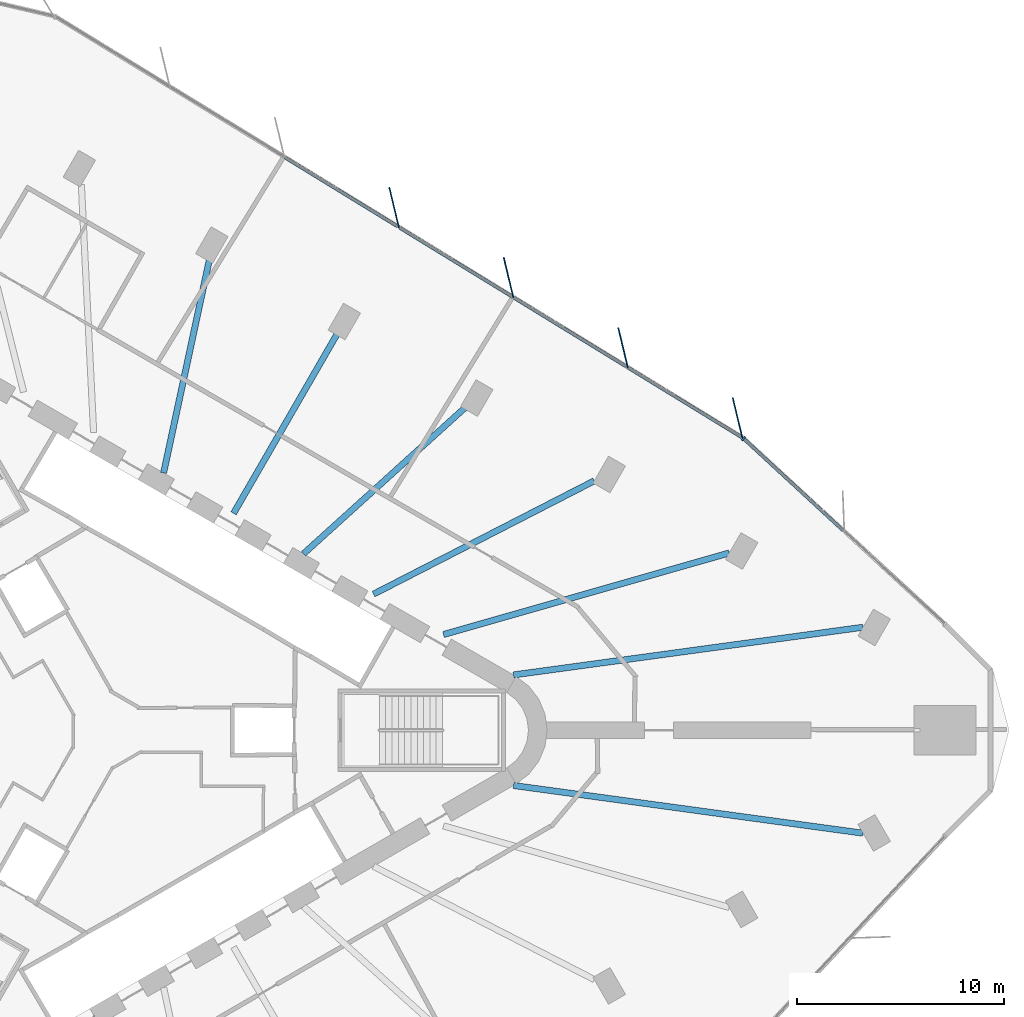
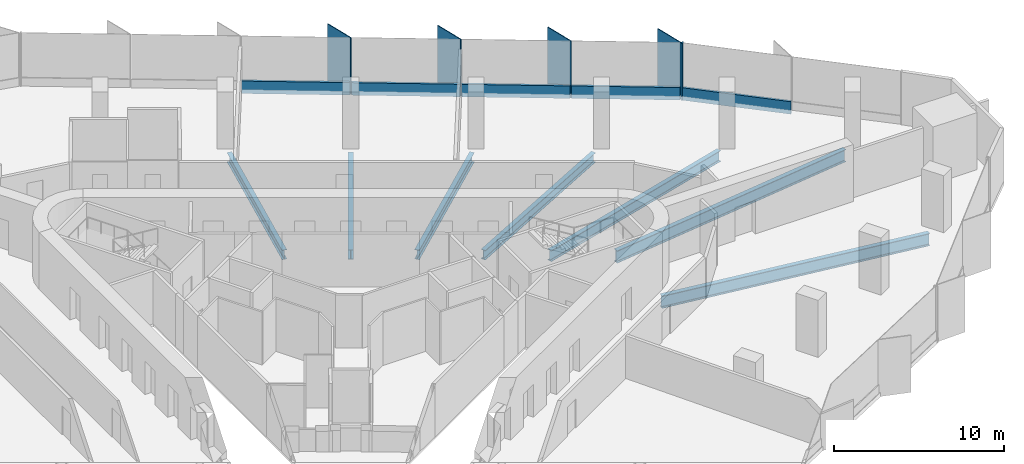
# One storey, part 5 of 14: 10 members, 7 beams, 2 elements without a shape of their own.
"""IFC4 building model written with IfcOpenShell, lengths in metres."""

from ifc_helpers import new_model, si_unit, direction, frame, origin, origin_2d, place, context, subcontext, project, spatial, rectangle, i_section, extrude, material, material_profile, profile_set, type_object, element, aggregate, save


model = new_model("IFC4")

# Units and contexts
model_context = context("Model", 3, precision=1e-05, world=origin(), true_north=direction((0.0, 1.0)))
body_context = subcontext(model_context, "Body", "Model", "MODEL_VIEW")
ifc_project = project(units=[si_unit("LENGTHUNIT", "METRE"), si_unit("AREAUNIT", "SQUARE_METRE"), si_unit("VOLUMEUNIT", "CUBIC_METRE"), si_unit("PLANEANGLEUNIT", "RADIAN"), si_unit("MASSUNIT", "GRAM", prefix="KILO")], contexts=[model_context])

# Site, building, storey
site_placement = place(None, origin())
site = spatial("IfcSite", under=ifc_project, at=site_placement, CompositionType="ELEMENT")
building_placement = place(site_placement, origin())
building = spatial("IfcBuilding", under=site, at=building_placement, Name="Tanit Gate Tower", CompositionType="ELEMENT")
storey_placement = place(building_placement, frame((0.0, 0.0, 119.300048828125)))
storey = spatial("IfcBuildingStorey", under=building, at=storey_placement, Name="L25", CompositionType="ELEMENT", Elevation=119.300048828125)

# Curtain wall, members
ifc_material_1 = material(Name="Aluminium bronze anodised and glass", Category="aluminium")
curtain_wall_type = type_object("IfcCurtainWallType", Name="Curtain wall typical low", PredefinedType="NOTDEFINED", material=ifc_material_1)
curtain_wall_1_placement = place(storey_placement, origin())
curtain_wall_1 = element("IfcCurtainWall", 1, at=curtain_wall_1_placement, inside=storey, type_object=curtain_wall_type, Name="Curtain wall L25 NE2", PredefinedType="NOTDEFINED")
ifc_material_2 = material(Name="Aluminium bronze anodised", Category="aluminium")
ifc_material_profile_1 = material_profile(ifc_material_2, rectangle(XDim=2.0, YDim=0.055908203125, at=origin_2d()), Name="56x2000 bronze fin mullion")
ifc_profile_set_1 = profile_set([ifc_material_profile_1], Name="Aluminium bronze anodised")
member_type_1 = type_object("IfcMemberType", Name="FIN MULLION 56x2000 bronze", PredefinedType="MULLION", material=ifc_profile_set_1)
member_1_placement = place(storey_placement, frame((30.402099609375, 15.08984375, -0.300048828125), z_axis=(0.0, 0.0, 1.0), x_axis=(0.23355666729, -0.97234319207, 0.0)))
member_1 = element("IfcMember", 2, at=member_1_placement, type_object=member_type_1, Name="Fin mullion L25 NE2.1", PredefinedType="MULLION", context=body_context, shape_type="SweptSolid", body=[
    extrude(rectangle(XDim=2.0, YDim=0.055908203125, at=origin_2d()), origin(), (0.0, 0.0, 1.0), 4.10009765625),
])
member_2_placement = place(storey_placement, frame((24.8701171875, 18.47900390625, -0.300048828125), z_axis=(0.0, 0.0, 1.0), x_axis=(0.23355666729, -0.97234319207, 0.0)))
member_2 = element("IfcMember", 3, at=member_2_placement, type_object=member_type_1, Name="Fin mullion L25 NE2.2", PredefinedType="MULLION", context=body_context, shape_type="SweptSolid", body=[
    extrude(rectangle(XDim=2.0, YDim=0.055908203125, at=origin_2d()), origin(), (0.0, 0.0, 1.0), 4.10009765625),
])
member_3_placement = place(storey_placement, frame((19.338134765625, 21.8681640625, -0.300048828125), z_axis=(0.0, 0.0, 1.0), x_axis=(0.23355666729, -0.97234319207, 0.0)))
member_3 = element("IfcMember", 4, at=member_3_placement, type_object=member_type_1, Name="Fin mullion L25 NE2.3", PredefinedType="MULLION", context=body_context, shape_type="SweptSolid", body=[
    extrude(rectangle(XDim=2.0, YDim=0.055908203125, at=origin_2d()), origin(), (0.0, 0.0, 1.0), 4.10009765625),
])
member_4_placement = place(storey_placement, frame((13.80615234375, 25.25732421875, -0.300048828125), z_axis=(0.0, 0.0, 1.0), x_axis=(0.23355666729, -0.97234319207, 0.0)))
member_4 = element("IfcMember", 5, at=member_4_placement, type_object=member_type_1, Name="Fin mullion L25 NE2.4", PredefinedType="MULLION", context=body_context, shape_type="SweptSolid", body=[
    extrude(rectangle(XDim=2.0, YDim=0.055908203125, at=origin_2d()), origin(), (0.0, 0.0, 1.0), 4.10009765625),
])

# Curtain wall, member
curtain_wall_2_placement = place(storey_placement, origin())
curtain_wall_2 = element("IfcCurtainWall", 6, at=curtain_wall_2_placement, inside=storey, type_object=curtain_wall_type, Name="Curtain wall L25 NE1", PredefinedType="NOTDEFINED")
ifc_material_3 = material(Name="Aluminium bronze anodised", Category="aluminium")
ifc_material_profile_2 = material_profile(ifc_material_3, rectangle(XDim=0.239990234375, YDim=0.080078125, at=origin_2d()), Name="80x240 bronze mullion")
ifc_profile_set_2 = profile_set([ifc_material_profile_2], Name="Aluminium bronze anodised")
member_type_2 = type_object("IfcMemberType", Name="Mullion 80x240 typical low", PredefinedType="MULLION", material=ifc_profile_set_2)
member_5_placement = place(storey_placement, frame((30.69384765625, 14.091552734375, -0.300048828125), z_axis=(0.0, 0.0, 1.0), x_axis=(-0.678017021535, -0.735046201615, 0.0)))
member_5 = element("IfcMember", 7, at=member_5_placement, type_object=member_type_2, Name="Mullion L25 NE1.3", PredefinedType="MULLION", context=body_context, shape_type="SweptSolid", body=[
    extrude(rectangle(XDim=0.239990234375, YDim=0.080078125, at=origin_2d()), origin(), (0.0, 0.0, 1.0), 4.10009765625),
])

# Beams
ifc_material_4 = material(Name="Steel S355", Category="steel")
ifc_material_profile_3 = material_profile(ifc_material_4, i_section(OverallWidth=0.300048828125, OverallDepth=0.68994140625, WebThickness=0.014404296875, FlangeThickness=0.027099609375, FilletRadius=0.027099609375, at=origin_2d()), Name="HEA 700")
ifc_profile_set_3 = profile_set([ifc_material_profile_3], Name="Steel S355")
beam_type_1 = type_object("IfcBeamType", Name="RADIAL GIRDER HEA 700 S355", PredefinedType="BEAM", material=ifc_profile_set_3)
beam_1_placement = place(storey_placement, frame((23.4775390625, 12.04833984375, -0.64501953125), z_axis=(-0.889684882484, -0.456575086792, 0.0), x_axis=(0.456575086792, -0.889684882484, 0.0)))
element("IfcBeam", 8, at=beam_1_placement, inside=storey, type_object=beam_type_1, Name="RADIAL GIRDER", PredefinedType="BEAM", context=body_context, shape_type="SweptSolid", body=[
    extrude(i_section(OverallWidth=0.300048828125, OverallDepth=0.68994140625, WebThickness=0.014404296875, FlangeThickness=0.027099609375, FilletRadius=0.027099609375, at=origin_2d()), origin(), (0.0, 0.0, 1.0), 11.98583984375),
])
beam_2_placement = place(storey_placement, frame((17.27099609375, 15.615478515625, -0.64501953125), z_axis=(-0.741757410194, -0.670668281957, 0.0), x_axis=(0.670668281957, -0.741757410194, 0.0)))
element("IfcBeam", 9, at=beam_2_placement, inside=storey, type_object=beam_type_1, Name="RADIAL GIRDER", PredefinedType="BEAM", context=body_context, shape_type="SweptSolid", body=[
    extrude(i_section(OverallWidth=0.300048828125, OverallDepth=0.68994140625, WebThickness=0.014404296875, FlangeThickness=0.027099609375, FilletRadius=0.027099609375, at=origin_2d()), origin(), (0.0, 0.0, 1.0), 10.5673828125),
])
beam_3_placement = place(storey_placement, frame((11.07958984375, 19.190185546875, -0.64501953125), z_axis=(-0.500011042411, -0.866019028352, 0.0), x_axis=(0.866019028352, -0.500011042411, 0.0)))
element("IfcBeam", 10, at=beam_3_placement, inside=storey, type_object=beam_type_1, Name="RADIAL GIRDER", PredefinedType="BEAM", context=body_context, shape_type="SweptSolid", body=[
    extrude(i_section(OverallWidth=0.300048828125, OverallDepth=0.68994140625, WebThickness=0.014404296875, FlangeThickness=0.027099609375, FilletRadius=0.027099609375, at=origin_2d()), origin(), (0.0, 0.0, 1.0), 10.056884765625),
])
beam_4_placement = place(storey_placement, frame((4.887939453125, 22.764892578125, -0.64501953125), z_axis=(-0.209940874713, -0.977714083526, 0.0), x_axis=(0.977714083526, -0.209940874713, 0.0)))
element("IfcBeam", 11, at=beam_4_placement, inside=storey, type_object=beam_type_1, Name="RADIAL GIRDER", PredefinedType="BEAM", context=body_context, shape_type="SweptSolid", body=[
    extrude(i_section(OverallWidth=0.300048828125, OverallDepth=0.68994140625, WebThickness=0.014404296875, FlangeThickness=0.027099609375, FilletRadius=0.027099609375, at=origin_2d()), origin(), (0.0, 0.0, 1.0), 10.5673828125),
])
ifc_material_5 = material(Name="Steel S355", Category="steel")
ifc_material_profile_4 = material_profile(ifc_material_5, i_section(OverallWidth=0.300048828125, OverallDepth=0.7900390625, WebThickness=0.014892578125, FlangeThickness=0.028076171875, FilletRadius=0.030029296875, at=origin_2d()), Name="HEA 800")
ifc_profile_set_4 = profile_set([ifc_material_profile_4], Name="Steel S355")
beam_type_2 = type_object("IfcBeamType", Name="RADIAL GIRDER HEA 800 S355", PredefinedType="BEAM", material=ifc_profile_set_4)
beam_5_placement = place(storey_placement, frame((30.00146484375, 8.565185546875, -0.695068359375), z_axis=(-0.96158167718, -0.274518994083, 0.0), x_axis=(0.274518994083, -0.96158167718, 0.0)))
element("IfcBeam", 12, at=beam_5_placement, inside=storey, type_object=beam_type_2, Name="RADIAL GIRDER", PredefinedType="BEAM", context=body_context, shape_type="SweptSolid", body=[
    extrude(i_section(OverallWidth=0.300048828125, OverallDepth=0.7900390625, WebThickness=0.014892578125, FlangeThickness=0.028076171875, FilletRadius=0.030029296875, at=origin_2d()), origin(), (0.0, 0.0, 1.0), 14.357421875),
])
ifc_material_6 = material(Name="Steel S355", Category="steel")
ifc_material_profile_5 = material_profile(ifc_material_6, i_section(OverallWidth=0.300048828125, OverallDepth=0.889892578125, WebThickness=0.01611328125, FlangeThickness=0.030029296875, FilletRadius=0.030029296875, at=origin_2d()), Name="HEA 900")
ifc_profile_set_5 = profile_set([ifc_material_profile_5], Name="Steel S355")
beam_type_3 = type_object("IfcBeamType", Name="RADIAL GIRDER HEA 900 S355", PredefinedType="BEAM", material=ifc_profile_set_5)
for number, where, z_axis, x_axis, name in (
    (13, (36.4638671875, -4.9755859375, -0.7451171875), (-0.990818658111, 0.135197584074, 0.0), (-0.135197584074, -0.990818658111, 0.0), "RADIAL GIRDER"),
    (14, (36.4638671875, 4.9755859375, -0.7451171875), (-0.990818658111, -0.135197584074, 0.0), (0.135197584074, -0.990818658111, 0.0), "RADIAL GIRDER"),
):
    element("IfcBeam", number, at=place(storey_placement, frame(where, z_axis=z_axis, x_axis=x_axis)), inside=storey, type_object=beam_type_3, Name=name, PredefinedType="BEAM", context=body_context, shape_type="SweptSolid", body=[
        extrude(i_section(OverallWidth=0.300048828125, OverallDepth=0.889892578125, WebThickness=0.01611328125, FlangeThickness=0.030029296875, FilletRadius=0.030029296875, at=origin_2d()), origin(), (0.0, 0.0, 1.0), 17.043212890625),
    ])

# Member
ifc_material_7 = material(Name="Aluminium bronze anodised", Category="aluminium")
ifc_material_profile_6 = material_profile(ifc_material_7, rectangle(XDim=0.159912109375, YDim=0.89990234375, at=origin_2d()), Name="160x900 bronze transom")
ifc_profile_set_6 = profile_set([ifc_material_profile_6], Name="Aluminium bronze anodised")
member_type_3 = type_object("IfcMemberType", Name="Transom 160x900 typical low", PredefinedType="USERDEFINED", material=ifc_profile_set_6)
member_6_placement = place(storey_placement, frame((35.5302734375, 9.63037109375, 0.14990234375), z_axis=(-0.735035267358, 0.678028875299, 0.0), x_axis=(-0.678028875299, -0.735035267358, 0.0)))
member_6 = element("IfcMember", 15, at=member_6_placement, type_object=member_type_3, Name="Transom L25 NE1.2", ObjectType="TRANSOM", PredefinedType="USERDEFINED", context=body_context, shape_type="SweptSolid", body=[
    extrude(rectangle(XDim=0.159912109375, YDim=0.89990234375, at=origin_2d()), origin(), (0.0, 0.0, 1.0), 6.53955078125),
])

aggregate(curtain_wall_2, [member_5, member_6])

member_7_placement = place(storey_placement, frame((30.59619140625, 14.160400390625, 0.14990234375), z_axis=(-0.852688858165, 0.522419095326, 0.0), x_axis=(-0.522419095326, -0.852688858165, 0.0)))
member_7 = element("IfcMember", 16, at=member_7_placement, type_object=member_type_3, Name="Transom L25 NE2.1", ObjectType="TRANSOM", PredefinedType="USERDEFINED", context=body_context, shape_type="SweptSolid", body=[
    extrude(rectangle(XDim=0.159912109375, YDim=0.89990234375, at=origin_2d()), origin(), (0.0, 0.0, 1.0), 6.407470703125),
])

member_8_placement = place(storey_placement, frame((25.064208984375, 17.549560546875, 0.14990234375), z_axis=(-0.852688858165, 0.522419095326, 0.0), x_axis=(-0.522419095326, -0.852688858165, 0.0)))
member_8 = element("IfcMember", 17, at=member_8_placement, type_object=member_type_3, Name="Transom L25 NE2.2", ObjectType="TRANSOM", PredefinedType="USERDEFINED", context=body_context, shape_type="SweptSolid", body=[
    extrude(rectangle(XDim=0.159912109375, YDim=0.89990234375, at=origin_2d()), origin(), (0.0, 0.0, 1.0), 6.407470703125),
])

member_9_placement = place(storey_placement, frame((19.5322265625, 20.938720703125, 0.14990234375), z_axis=(-0.852688858165, 0.522419095326, 0.0), x_axis=(-0.522419095326, -0.852688858165, 0.0)))
member_9 = element("IfcMember", 18, at=member_9_placement, type_object=member_type_3, Name="Transom L25 NE2.3", ObjectType="TRANSOM", PredefinedType="USERDEFINED", context=body_context, shape_type="SweptSolid", body=[
    extrude(rectangle(XDim=0.159912109375, YDim=0.89990234375, at=origin_2d()), origin(), (0.0, 0.0, 1.0), 6.407470703125),
])

member_10_placement = place(storey_placement, frame((14.000244140625, 24.327880859375, 0.14990234375), z_axis=(-0.852688858165, 0.522419095326, 0.0), x_axis=(-0.522419095326, -0.852688858165, 0.0)))
member_10 = element("IfcMember", 19, at=member_10_placement, type_object=member_type_3, Name="Transom L25 NE2.4", ObjectType="TRANSOM", PredefinedType="USERDEFINED", context=body_context, shape_type="SweptSolid", body=[
    extrude(rectangle(XDim=0.159912109375, YDim=0.89990234375, at=origin_2d()), origin(), (0.0, 0.0, 1.0), 6.407470703125),
])

aggregate(curtain_wall_1, [member_1, member_2, member_3, member_4, member_7, member_8, member_9, member_10])

save(model, "model.ifc")
